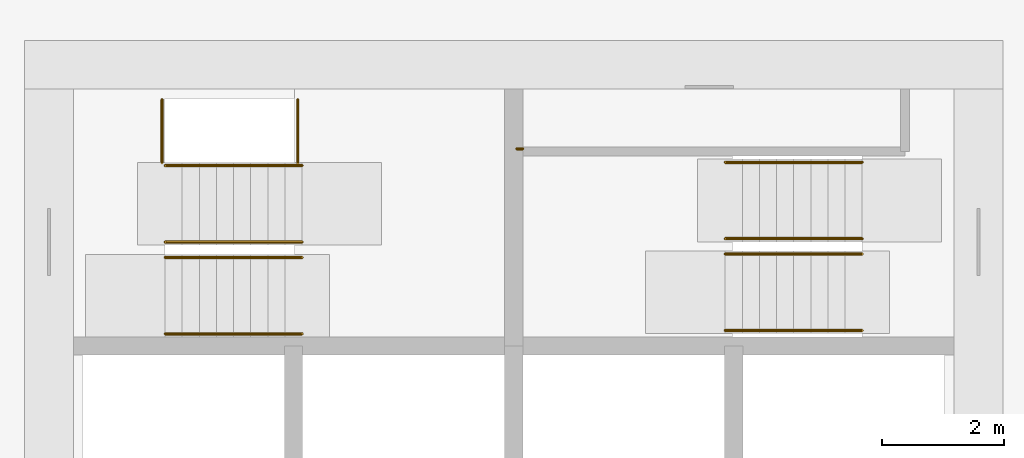
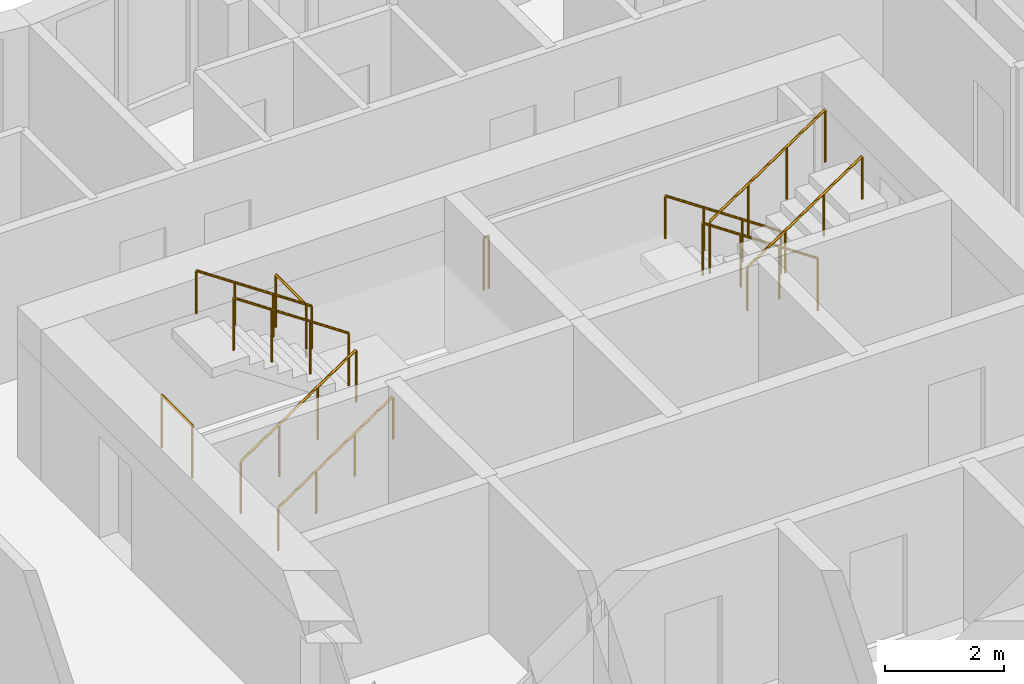
# One storey, part 12 of 13: 11 railings.
"""IFC4 building model written with IfcOpenShell, lengths in metres."""

from ifc_helpers import new_model, si_unit, direction, frame, origin, origin_2d, place, context, subcontext, project, spatial, circle, extrude, material, type_object, element, save


model = new_model("IFC4")

# Units and contexts
model_context = context("Model", 3, precision=1e-05, world=origin(), true_north=direction((0.0, 1.0)))
body_context = subcontext(model_context, "Body", "Model", "MODEL_VIEW")
ifc_project = project(units=[si_unit("LENGTHUNIT", "METRE"), si_unit("AREAUNIT", "SQUARE_METRE"), si_unit("VOLUMEUNIT", "CUBIC_METRE"), si_unit("PLANEANGLEUNIT", "RADIAN"), si_unit("MASSUNIT", "GRAM", prefix="KILO")], contexts=[model_context])

# Site, building, storey
site_placement = place(None, origin())
site = spatial("IfcSite", under=ifc_project, at=site_placement, CompositionType="ELEMENT")
building_placement = place(site_placement, origin())
building = spatial("IfcBuilding", under=site, at=building_placement, Name="Windrow Commons", CompositionType="ELEMENT")
storey_placement = place(building_placement, frame((0.0, 0.0, 94.8)))
storey = spatial("IfcBuildingStorey", under=building, at=storey_placement, Name="L25", CompositionType="ELEMENT", Elevation=94.8)

# Railings
ifc_material_1 = material(Name="Steel S355", Category="steel")
railing_type_1 = type_object("IfcRailingType", Name="Core stair guard 1100", PredefinedType="GUARDRAIL", material=ifc_material_1)
railing_1_placement = place(storey_placement, frame((59.1, 62.05, 0.1889)))
element("IfcRailing", 1, at=railing_1_placement, inside=storey, type_object=railing_type_1, Name="L25 ST-A1 stair guard 1", PredefinedType="GUARDRAIL", context=body_context, shape_type="SweptSolid", body=[
    extrude(circle(Radius=0.024, at=origin_2d()), frame((0.0, 0.0, 1.076), z_axis=(0.8290030985, 0.0, 0.5592440099), x_axis=(0.0, 1.0, 0.0)), (0.0, 0.0, 1.0), 2.702),
    extrude(circle(Radius=0.021, at=origin_2d()), origin(), (0.0, 0.0, 1.0), 1.052),
    extrude(circle(Radius=0.021, at=origin_2d()), frame((0.7467, 0.0, 0.5037)), (0.0, 0.0, 1.0), 1.052),
    extrude(circle(Radius=0.021, at=origin_2d()), frame((1.4933, 0.0, 1.0074)), (0.0, 0.0, 1.0), 1.052),
    extrude(circle(Radius=0.021, at=origin_2d()), frame((2.24, 0.0, 1.5111)), (0.0, 0.0, 1.0), 1.052),
])
railing_2_placement = place(storey_placement, frame((61.34, 62.3, 1.8889)))
element("IfcRailing", 2, at=railing_2_placement, inside=storey, type_object=railing_type_1, Name="L25 ST-A1 stair guard 2", PredefinedType="GUARDRAIL", context=body_context, shape_type="SweptSolid", body=[
    extrude(circle(Radius=0.024, at=origin_2d()), frame((0.0, 0.0, 1.076), z_axis=(-0.8290030985, 0.0, 0.5592440099), x_axis=(0.0, -1.0, 0.0)), (0.0, 0.0, 1.0), 2.702),
    extrude(circle(Radius=0.021, at=origin_2d()), origin(), (0.0, 0.0, 1.0), 1.052),
    extrude(circle(Radius=0.021, at=origin_2d()), frame((-0.7467, 0.0, 0.5037)), (0.0, 0.0, 1.0), 1.052),
    extrude(circle(Radius=0.021, at=origin_2d()), frame((-1.4933, 0.0, 1.0074)), (0.0, 0.0, 1.0), 1.052),
    extrude(circle(Radius=0.021, at=origin_2d()), frame((-2.24, 0.0, 1.5111)), (0.0, 0.0, 1.0), 1.052),
])
for number, where, name in (
    (3, (59.05, 63.6, 0.0), "L25 ST-A1 stair guard 3"),
    (4, (61.27, 63.6, 1.7), "L25 ST-A1 stair guard 4"),
):
    element("IfcRailing", number, at=place(storey_placement, frame(where)), inside=storey, type_object=railing_type_1, Name=name, PredefinedType="GUARDRAIL", context=body_context, shape_type="SweptSolid", body=[
        extrude(circle(Radius=0.024, at=origin_2d()), frame((0.0, 0.0, 1.076), z_axis=(0.0, 1.0, 0.0), x_axis=(-1.0, 0.0, 0.0)), (0.0, 0.0, 1.0), 1.03),
        extrude(circle(Radius=0.021, at=origin_2d()), origin(), (0.0, 0.0, 1.0), 1.052),
        extrude(circle(Radius=0.021, at=origin_2d()), frame((0.0, 1.03, 0.0)), (0.0, 0.0, 1.0), 1.052),
    ])
railing_3_placement = place(storey_placement, frame((70.5, 62.355, 0.1889)))
element("IfcRailing", 5, at=railing_3_placement, inside=storey, type_object=railing_type_1, Name="L25 ST-A2 stair guard 1", PredefinedType="GUARDRAIL", context=body_context, shape_type="SweptSolid", body=[
    extrude(circle(Radius=0.024, at=origin_2d()), frame((0.0, 0.0, 1.076), z_axis=(-0.8290030985, 0.0, 0.5592440099), x_axis=(0.0, -1.0, 0.0)), (0.0, 0.0, 1.0), 2.702),
    extrude(circle(Radius=0.021, at=origin_2d()), origin(), (0.0, 0.0, 1.0), 1.052),
    extrude(circle(Radius=0.021, at=origin_2d()), frame((-0.7467, 0.0, 0.5037)), (0.0, 0.0, 1.0), 1.052),
    extrude(circle(Radius=0.021, at=origin_2d()), frame((-1.4933, 0.0, 1.0074)), (0.0, 0.0, 1.0), 1.052),
    extrude(circle(Radius=0.021, at=origin_2d()), frame((-2.24, 0.0, 1.5111)), (0.0, 0.0, 1.0), 1.052),
])
railing_4_placement = place(storey_placement, frame((68.26, 62.105, 1.8889)))
element("IfcRailing", 6, at=railing_4_placement, inside=storey, type_object=railing_type_1, Name="L25 ST-A2 stair guard 2", PredefinedType="GUARDRAIL", context=body_context, shape_type="SweptSolid", body=[
    extrude(circle(Radius=0.024, at=origin_2d()), frame((0.0, 0.0, 1.076), z_axis=(0.8290030985, 0.0, 0.5592440099), x_axis=(0.0, 1.0, 0.0)), (0.0, 0.0, 1.0), 2.702),
    extrude(circle(Radius=0.021, at=origin_2d()), origin(), (0.0, 0.0, 1.0), 1.052),
    extrude(circle(Radius=0.021, at=origin_2d()), frame((0.7467, 0.0, 0.5037)), (0.0, 0.0, 1.0), 1.052),
    extrude(circle(Radius=0.021, at=origin_2d()), frame((1.4933, 0.0, 1.0074)), (0.0, 0.0, 1.0), 1.052),
    extrude(circle(Radius=0.021, at=origin_2d()), frame((2.24, 0.0, 1.5111)), (0.0, 0.0, 1.0), 1.052),
])
railing_5_placement = place(storey_placement, frame((64.95, 63.825, 1.7)))
element("IfcRailing", 7, at=railing_5_placement, inside=storey, type_object=railing_type_1, Name="L25 ST-A2 stair guard 3", PredefinedType="GUARDRAIL", context=body_context, shape_type="SweptSolid", body=[
    extrude(circle(Radius=0.024, at=origin_2d()), frame((0.0, 0.0, 1.076), z_axis=(-1.0, 0.0, 0.0), x_axis=(0.0, -1.0, 0.0)), (0.0, 0.0, 1.0), 0.1),
    extrude(circle(Radius=0.021, at=origin_2d()), origin(), (0.0, 0.0, 1.0), 1.052),
    extrude(circle(Radius=0.021, at=origin_2d()), frame((-0.1, 0.0, 0.0)), (0.0, 0.0, 1.0), 1.052),
])
ifc_material_2 = material(Name="Steel S355", Category="steel")
railing_type_2 = type_object("IfcRailingType", Name="Core stair handrail 900", PredefinedType="HANDRAIL", material=ifc_material_2)
railing_6_placement = place(storey_placement, frame((59.1, 60.8, 0.1889)))
element("IfcRailing", 8, at=railing_6_placement, inside=storey, type_object=railing_type_2, Name="L25 ST-A1 stair handrail 1", PredefinedType="HANDRAIL", context=body_context, shape_type="SweptSolid", body=[
    extrude(circle(Radius=0.024, at=origin_2d()), frame((0.0, 0.0, 0.876), z_axis=(0.8290030985, 0.0, 0.5592440099), x_axis=(0.0, 1.0, 0.0)), (0.0, 0.0, 1.0), 2.702),
    extrude(circle(Radius=0.021, at=origin_2d()), origin(), (0.0, 0.0, 1.0), 0.852),
    extrude(circle(Radius=0.021, at=origin_2d()), frame((0.7467, 0.0, 0.5037)), (0.0, 0.0, 1.0), 0.852),
    extrude(circle(Radius=0.021, at=origin_2d()), frame((1.4933, 0.0, 1.0074)), (0.0, 0.0, 1.0), 0.852),
    extrude(circle(Radius=0.021, at=origin_2d()), frame((2.24, 0.0, 1.5111)), (0.0, 0.0, 1.0), 0.852),
])
for number, where, name in (
    (9, (61.34, 63.55, 1.8889), "L25 ST-A1 stair handrail 2"),
    (10, (70.5, 63.605, 0.1889), "L25 ST-A2 stair handrail 1"),
):
    element("IfcRailing", number, at=place(storey_placement, frame(where)), inside=storey, type_object=railing_type_2, Name=name, PredefinedType="HANDRAIL", context=body_context, shape_type="SweptSolid", body=[
        extrude(circle(Radius=0.024, at=origin_2d()), frame((0.0, 0.0, 0.876), z_axis=(-0.8290030985, 0.0, 0.5592440099), x_axis=(0.0, -1.0, 0.0)), (0.0, 0.0, 1.0), 2.702),
        extrude(circle(Radius=0.021, at=origin_2d()), origin(), (0.0, 0.0, 1.0), 0.852),
        extrude(circle(Radius=0.021, at=origin_2d()), frame((-0.7467, 0.0, 0.5037)), (0.0, 0.0, 1.0), 0.852),
        extrude(circle(Radius=0.021, at=origin_2d()), frame((-1.4933, 0.0, 1.0074)), (0.0, 0.0, 1.0), 0.852),
        extrude(circle(Radius=0.021, at=origin_2d()), frame((-2.24, 0.0, 1.5111)), (0.0, 0.0, 1.0), 0.852),
    ])
railing_7_placement = place(storey_placement, frame((68.26, 60.855, 1.8889)))
element("IfcRailing", 11, at=railing_7_placement, inside=storey, type_object=railing_type_2, Name="L25 ST-A2 stair handrail 2", PredefinedType="HANDRAIL", context=body_context, shape_type="SweptSolid", body=[
    extrude(circle(Radius=0.024, at=origin_2d()), frame((0.0, 0.0, 0.876), z_axis=(0.8290030985, 0.0, 0.5592440099), x_axis=(0.0, 1.0, 0.0)), (0.0, 0.0, 1.0), 2.702),
    extrude(circle(Radius=0.021, at=origin_2d()), origin(), (0.0, 0.0, 1.0), 0.852),
    extrude(circle(Radius=0.021, at=origin_2d()), frame((0.7467, 0.0, 0.5037)), (0.0, 0.0, 1.0), 0.852),
    extrude(circle(Radius=0.021, at=origin_2d()), frame((1.4933, 0.0, 1.0074)), (0.0, 0.0, 1.0), 0.852),
    extrude(circle(Radius=0.021, at=origin_2d()), frame((2.24, 0.0, 1.5111)), (0.0, 0.0, 1.0), 0.852),
])

save(model, "model.ifc")
